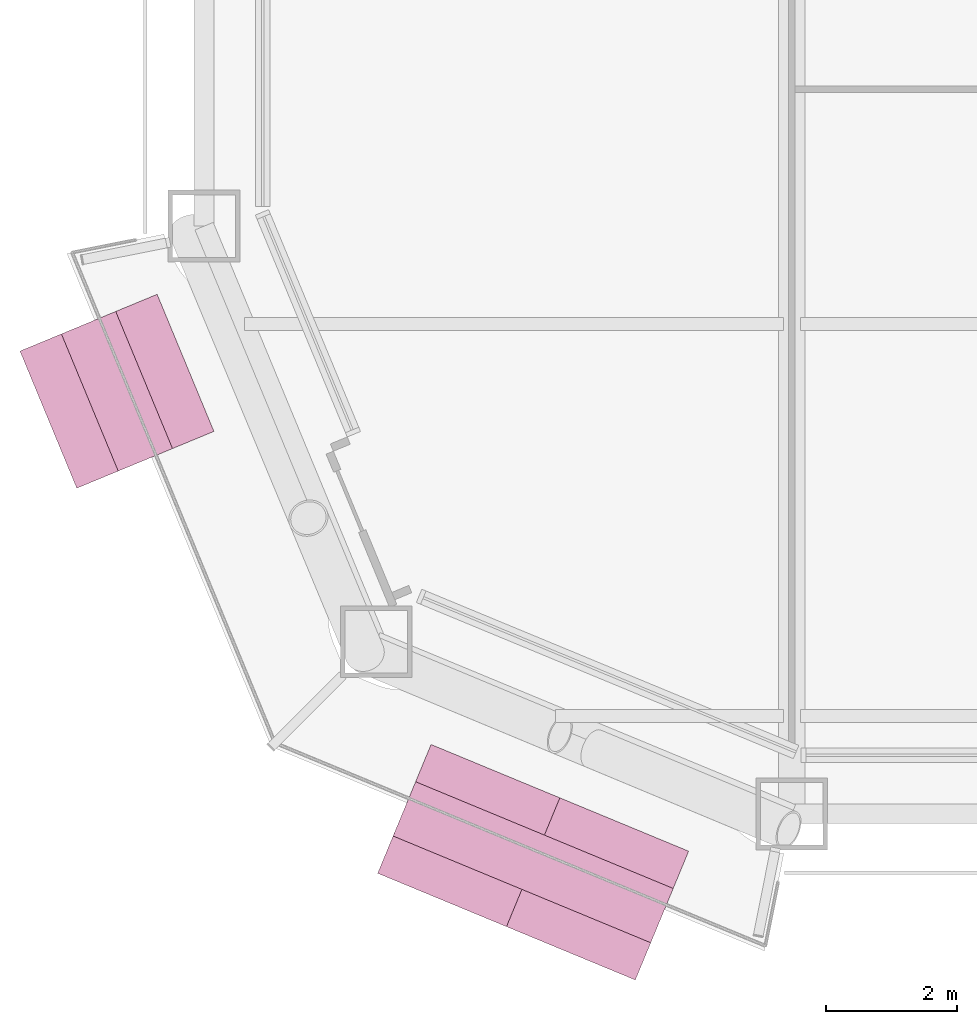
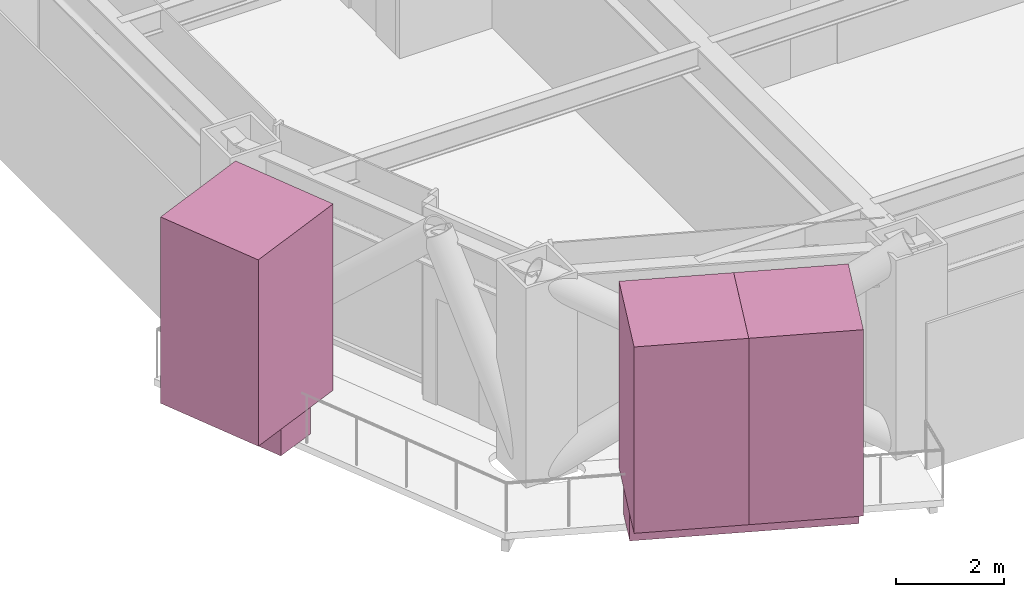
# One storey, part 27 of 27: 5 furnishings.
"""IFC4 building model written with IfcOpenShell, lengths in metres."""

from ifc_helpers import new_model, si_unit, direction, frame, origin, origin_2d, place, context, subcontext, project, spatial, rectangle, extrude, material, type_object, element, save


model = new_model("IFC4")

# Units and contexts
model_context = context("Model", 3, precision=1e-05, world=origin(), true_north=direction((0.0, 1.0)))
body_context = subcontext(model_context, "Body", "Model", "MODEL_VIEW")
ifc_project = project(units=[si_unit("LENGTHUNIT", "METRE"), si_unit("AREAUNIT", "SQUARE_METRE"), si_unit("VOLUMEUNIT", "CUBIC_METRE"), si_unit("PLANEANGLEUNIT", "RADIAN"), si_unit("MASSUNIT", "GRAM", prefix="KILO")], contexts=[model_context])

# Site, building, storey
site_placement = place(None, origin())
site = spatial("IfcSite", under=ifc_project, at=site_placement, CompositionType="ELEMENT")
building_placement = place(site_placement, origin())
building = spatial("IfcBuilding", under=site, at=building_placement, Name="Siwar Civic Tower", CompositionType="ELEMENT")
storey_placement = place(building_placement, frame((0.0, 0.0, 35.699951171875)))
storey = spatial("IfcBuildingStorey", under=building, at=storey_placement, Name="L07", CompositionType="ELEMENT", Elevation=35.699951171875)

# Furnishings
ifc_material_1 = material(Name="Planting soil and foliage")
furnishing_element_type_1 = type_object("IfcFurnishingElementType", Name="ENV-PLANTER", material=ifc_material_1)
furnishing_1_placement = place(storey_placement, frame((-32.833984375, -25.0283203125, 0.0), z_axis=(0.0, 0.0, 1.0), x_axis=(0.382683432365, -0.923879532511, 0.0)))
element("IfcFurnishingElement", 1, at=furnishing_1_placement, inside=storey, type_object=furnishing_element_type_1, Name="PLANTER SW 1", context=body_context, shape_type="SweptSolid", body=[
    extrude(rectangle(XDim=2.273193359375, YDim=0.89990234375, at=origin_2d()), origin(), (0.0, 0.0, 1.0), 0.60009765625),
])
furnishing_2_placement = place(storey_placement, frame((-26.460205078125, -32.240966796875, 0.0), z_axis=(0.0, 0.0, 1.0), x_axis=(0.923879532511, -0.382683432365, 0.0)))
element("IfcFurnishingElement", 2, at=furnishing_2_placement, inside=storey, type_object=furnishing_element_type_1, Name="PLANTER SW 2", context=body_context, shape_type="SweptSolid", body=[
    extrude(rectangle(XDim=4.270751953125, YDim=0.89990234375, at=origin_2d()), origin(), (0.0, 0.0, 1.0), 0.60009765625),
])
ifc_material_2 = material(Name="Planting soil and foliage")
furnishing_element_type_2 = type_object("IfcFurnishingElementType", Name="ENV-TREE", material=ifc_material_2)
furnishing_3_placement = place(storey_placement, frame((-32.833984375, -25.0283203125, 0.60009765625), z_axis=(0.0, 0.0, 1.0), x_axis=(0.382683432365, -0.923879532511, 0.0)))
element("IfcFurnishingElement", 3, at=furnishing_3_placement, inside=storey, type_object=furnishing_element_type_2, Name="PLANTER (TREE) SW 1.1", context=body_context, shape_type="SweptSolid", body=[
    extrude(rectangle(XDim=2.273193359375, YDim=2.273193359375, at=origin_2d()), origin(), (0.0, 0.0, 1.0), 4.199951171875),
])
for number, where, z_axis, x_axis, name in (
    (4, (-27.44677734375, -31.832275390625, 0.60009765625), (0.0, 0.0, 1.0), (0.923879532511, -0.382683432365, 0.0), "PLANTER (TREE) SW 2.1"),
    (5, (-25.473876953125, -32.6494140625, 0.60009765625), (0.0, 0.0, 1.0), (0.923879532511, -0.382683432365, 0.0), "PLANTER (TREE) SW 2.2"),
):
    element("IfcFurnishingElement", number, at=place(storey_placement, frame(where, z_axis=z_axis, x_axis=x_axis)), inside=storey, type_object=furnishing_element_type_2, Name=name, context=body_context, shape_type="SweptSolid", body=[
        extrude(rectangle(XDim=2.13525390625, YDim=2.13525390625, at=origin_2d()), origin(), (0.0, 0.0, 1.0), 4.199951171875),
    ])

save(model, "model.ifc")
